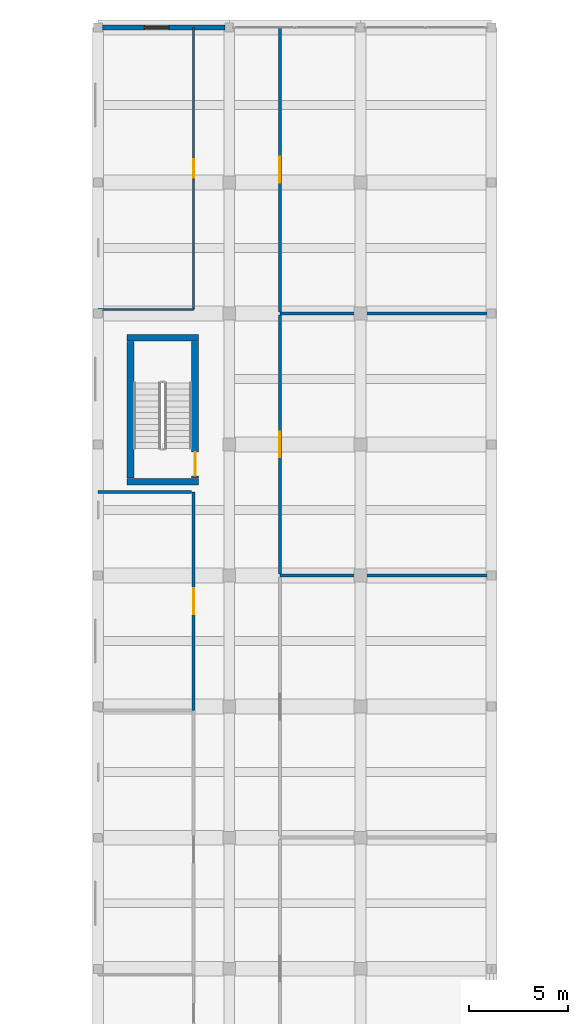
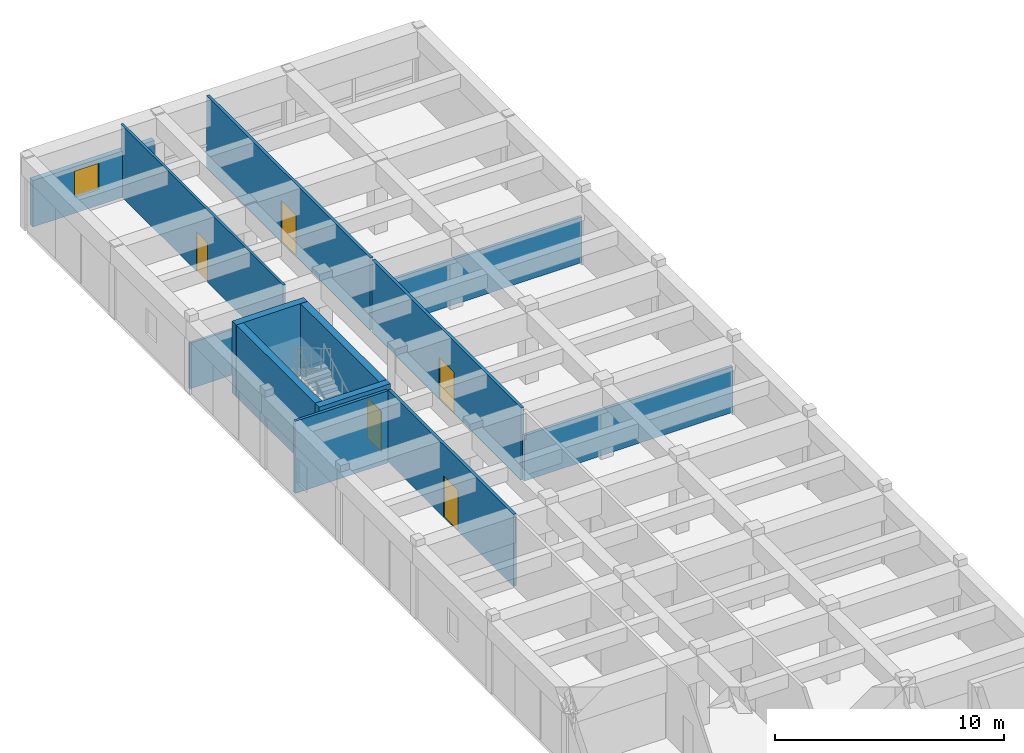
# One storey, part 145 of 157: 13 walls, 5 doors, 1 window, 6 openings.
"""IFC4 building model written with IfcOpenShell, lengths in metres."""

from ifc_helpers import new_model, si_unit, direction, frame, frame_2d, origin, place, context, subcontext, project, spatial, rectangle, extrude, material, layer, layer_set, type_object, element, fill, save


model = new_model("IFC4")

# Units and contexts
model_context = context("Model", 3, precision=1e-05, world=origin(), true_north=direction((0.0, 1.0)))
body_context = subcontext(model_context, "Body", "Model", "MODEL_VIEW")
ifc_project = project(units=[si_unit("LENGTHUNIT", "METRE"), si_unit("AREAUNIT", "SQUARE_METRE"), si_unit("VOLUMEUNIT", "CUBIC_METRE"), si_unit("PLANEANGLEUNIT", "RADIAN"), si_unit("MASSUNIT", "GRAM", prefix="KILO")], contexts=[model_context])

# Site, building, storey
site_placement = place(None, origin())
site = spatial("IfcSite", under=ifc_project, at=site_placement, CompositionType="ELEMENT")
building_placement = place(site_placement, origin())
building = spatial("IfcBuilding", under=site, at=building_placement, Name="Karori Crest Natural Sciences Institute", CompositionType="ELEMENT")
storey_placement = place(building_placement, frame((0.0, 0.0, 13.300048828125)))
storey = spatial("IfcBuildingStorey", under=building, at=storey_placement, Name="L03", CompositionType="ELEMENT", Elevation=13.300048828125)

# Walls
ifc_material_1 = material(Name="Concrete 50 MPa", Category="concrete")
ifc_layer_1 = layer(ifc_material_1, 0.35009765625, Name="Concrete 50 MPa")
ifc_layer_set_1 = layer_set([ifc_layer_1], Name="Concrete 50 MPa")
wall_type_1 = type_object("IfcWallType", Name="IWT-02", PredefinedType="SHEAR", material=ifc_layer_set_1)
for number, where, z_axis, x_axis, name in (
    (1, (8.85009765625, 139.324951171875, 0.0), (0.0, 0.0, 1.0), (1.0, 0.0, 0.0), "Shear wall IW-0213"),
    (2, (8.85009765625, 146.574951171875, 0.0), (0.0, 0.0, 1.0), (1.0, 0.0, 0.0), "Shear wall IW-0214"),
):
    element("IfcWall", number, at=place(storey_placement, frame(where, z_axis=z_axis, x_axis=x_axis)), inside=storey, type_object=wall_type_1, Name=name, PredefinedType="SHEAR", context=body_context, shape_type="SweptSolid", body=[
        extrude(rectangle(XDim=3.599853515625, YDim=0.35009765625, at=frame_2d((1.7998046875, 0.0))), origin(), (0.0, 0.0, 1.0), 3.849853515625),
    ])
wall_1_placement = place(storey_placement, frame((9.02490234375, 139.501953125, 0.0), z_axis=(0.0, 0.0, 1.0), x_axis=(0.0, 1.0, 0.0)))
element("IfcWall", 3, at=wall_1_placement, inside=storey, type_object=wall_type_1, Name="Shear wall IW-0215", PredefinedType="SHEAR", context=body_context, shape_type="SweptSolid", body=[
    extrude(rectangle(XDim=6.89599609375, YDim=0.35009765625, at=frame_2d((3.447998046875, 0.0))), origin(), (0.0, 0.0, 1.0), 3.849853515625),
])

# Wall, opening, door
wall_2_placement = place(storey_placement, frame((12.27490234375, 139.501953125, 0.0), z_axis=(0.0, 0.0, 1.0), x_axis=(0.0, 1.0, 0.0)))
wall_2 = element("IfcWall", 4, at=wall_2_placement, inside=storey, type_object=wall_type_1, Name="Shear wall IW-0216", PredefinedType="SHEAR", context=body_context, shape_type="SweptSolid", body=[
    extrude(rectangle(XDim=6.89599609375, YDim=0.35009765625, at=frame_2d((3.447998046875, 0.0))), origin(), (0.0, 0.0, 1.0), 3.849853515625),
])
opening_1_placement = place(wall_2_placement, frame((0.1201171875, 0.0, 0.0)))
opening_1 = element("IfcOpeningElement", 5, at=opening_1_placement, cuts=wall_2, Name="Opening ID-0054", PredefinedType="OPENING", context=body_context, shape_type="SweptSolid", body=[
    extrude(rectangle(XDim=1.199951171875, YDim=2.14990234375, at=frame_2d((0.60009765625, 1.074951171875))), frame((0.0, 0.18505859375, 0.0), z_axis=(0.0, -1.0, 0.0), x_axis=(1.0, 0.0, 0.0)), (0.0, 0.0, 1.0), 0.3701171875),
])
ifc_material_2 = material(Name="Stainless steel 316 and fire-rated timber", Category="steel")
door_type_1 = type_object("IfcDoorType", Name="IDT-01", OperationType="NOTDEFINED", PredefinedType="DOOR", material=ifc_material_2)
door_1_placement = place(opening_1_placement, origin())
door_1 = element("IfcDoor", 6, at=door_1_placement, inside=storey, type_object=door_type_1, Name="Stair ST-06 fire door ID-0054", OperationType="SINGLE_SWING_RIGHT", OverallHeight=2.14990234375, OverallWidth=1.199951171875, PredefinedType="DOOR", context=body_context, shape_type="SweptSolid", body=[
    extrude(rectangle(XDim=1.199951171875, YDim=2.14990234375, at=frame_2d((0.60009765625, 1.074951171875))), frame((0.0, 0.02490234375, 0.0), z_axis=(0.0, -1.0, 0.0), x_axis=(1.0, 0.0, 0.0)), (0.0, 0.0, 1.0), 0.050048828125),
])
fill(opening_1, door_1)

# Wall
ifc_material_3 = material(Name="Clean-room insulated fire partition")
ifc_layer_2 = layer(ifc_material_3, 0.14990234375, Name="Clean-room insulated fire partition")
ifc_layer_set_2 = layer_set([ifc_layer_2], Name="Clean-room insulated fire partition")
wall_type_2 = type_object("IfcWallType", Name="IWT-06", PredefinedType="PARTITIONING", material=ifc_layer_set_2)
wall_3_placement = place(storey_placement, frame((7.39990234375, 138.800048828125, 0.0), z_axis=(0.0, 0.0, 1.0), x_axis=(1.0, 0.0, 0.0)))
element("IfcWall", 7, at=wall_3_placement, inside=storey, type_object=wall_type_2, Name="Partition wall IW-0987", PredefinedType="PARTITIONING", context=body_context, shape_type="SweptSolid", body=[
    extrude(rectangle(XDim=4.697998046875, YDim=0.14990234375, at=frame_2d((2.34912109375, 0.0))), origin(), (0.0, 0.0, 1.0), 3.849853515625),
])

# Wall, opening, door
wall_4_placement = place(storey_placement, frame((12.199951171875, 127.802001953125, 0.0), z_axis=(0.0, 0.0, 1.0), x_axis=(0.0, 1.0, 0.0)))
wall_4 = element("IfcWall", 8, at=wall_4_placement, inside=storey, type_object=wall_type_2, Name="Partition wall IW-0988", PredefinedType="PARTITIONING", context=body_context, shape_type="SweptSolid", body=[
    extrude(rectangle(XDim=10.998046875, YDim=0.14990234375, at=frame_2d((5.4990234375, 0.0))), origin(), (0.0, 0.0, 1.0), 3.849853515625),
])
opening_2_placement = place(wall_4_placement, frame((4.84912109375, 0.0, 0.0)))
opening_2 = element("IfcOpeningElement", 9, at=opening_2_placement, cuts=wall_4, Name="Opening ID-0265", PredefinedType="OPENING", context=body_context, shape_type="SweptSolid", body=[
    extrude(rectangle(XDim=1.300048828125, YDim=2.199951171875, at=frame_2d((0.64990234375, 1.10009765625))), frame((0.0, 0.0849609375, 0.0), z_axis=(0.0, -1.0, 0.0), x_axis=(1.0, 0.0, 0.0)), (0.0, 0.0, 1.0), 0.169921875),
])
door_type_2 = type_object("IfcDoorType", Name="IDT-04", OperationType="NOTDEFINED", PredefinedType="DOOR", material=ifc_material_2)
door_2_placement = place(opening_2_placement, origin())
door_2 = element("IfcDoor", 10, at=door_2_placement, inside=storey, type_object=door_type_2, Name="Optical Metrology Preparation Room door ID-0265", OperationType="SINGLE_SWING_LEFT", OverallHeight=2.199951171875, OverallWidth=1.300048828125, PredefinedType="DOOR", context=body_context, shape_type="SweptSolid", body=[
    extrude(rectangle(XDim=1.300048828125, YDim=2.199951171875, at=frame_2d((0.64990234375, 1.10009765625))), frame((0.0, 0.02490234375, 0.0), z_axis=(0.0, -1.0, 0.0), x_axis=(1.0, 0.0, 0.0)), (0.0, 0.0, 1.0), 0.050048828125),
])
fill(opening_2, door_2)

# Walls
for number, where, z_axis, x_axis, name in (
    (11, (16.550048828125, 134.60009765625, 0.0), (0.0, 0.0, 1.0), (1.0, 0.0, 0.0), "Partition wall IW-0997"),
    (12, (16.550048828125, 147.800048828125, 0.0), (0.0, 0.0, 1.0), (1.0, 0.0, 0.0), "Partition wall IW-0999"),
):
    element("IfcWall", number, at=place(storey_placement, frame(where, z_axis=z_axis, x_axis=x_axis)), inside=storey, type_object=wall_type_2, Name=name, PredefinedType="PARTITIONING", context=body_context, shape_type="SweptSolid", body=[
        extrude(rectangle(XDim=10.537841796875, YDim=0.14990234375, at=frame_2d((5.26904296875, 0.0))), origin(), (0.0, 0.0, 1.0), 2.43505859375),
    ])

# Wall, opening, door
wall_5_placement = place(storey_placement, frame((16.550048828125, 134.677001953125, 0.0), z_axis=(0.0, 0.0, 1.0), x_axis=(0.0, 1.0, 0.0)))
wall_5 = element("IfcWall", 13, at=wall_5_placement, inside=storey, type_object=wall_type_2, Name="Partition wall IW-1000", PredefinedType="PARTITIONING", context=body_context, shape_type="SweptSolid", body=[
    extrude(rectangle(XDim=13.0458984375, YDim=0.14990234375, at=frame_2d((6.52294921875, 0.0))), origin(), (0.0, 0.0, 1.0), 3.849853515625),
])
opening_3_placement = place(wall_5_placement, frame((5.873046875, 0.0, 0.0)))
opening_3 = element("IfcOpeningElement", 14, at=opening_3_placement, cuts=wall_5, Name="Opening ID-0270", PredefinedType="OPENING", context=body_context, shape_type="SweptSolid", body=[
    extrude(rectangle(XDim=1.300048828125, YDim=2.199951171875, at=frame_2d((0.64990234375, 1.10009765625))), frame((0.0, 0.0849609375, 0.0), z_axis=(0.0, -1.0, 0.0), x_axis=(1.0, 0.0, 0.0)), (0.0, 0.0, 1.0), 0.169921875),
])
door_3_placement = place(opening_3_placement, origin())
door_3 = element("IfcDoor", 15, at=door_3_placement, inside=storey, type_object=door_type_2, Name="Laser Interferometry Metrology Suite door ID-0270", OperationType="SINGLE_SWING_RIGHT", OverallHeight=2.199951171875, OverallWidth=1.300048828125, PredefinedType="DOOR", context=body_context, shape_type="SweptSolid", body=[
    extrude(rectangle(XDim=1.300048828125, YDim=2.199951171875, at=frame_2d((0.64990234375, 1.10009765625))), frame((0.0, 0.02490234375, 0.0), z_axis=(0.0, -1.0, 0.0), x_axis=(1.0, 0.0, 0.0)), (0.0, 0.0, 1.0), 0.050048828125),
])
fill(opening_3, door_3)

wall_6_placement = place(storey_placement, frame((16.550048828125, 147.876953125, 0.0), z_axis=(0.0, 0.0, 1.0), x_axis=(0.0, 1.0, 0.0)))
wall_6 = element("IfcWall", 16, at=wall_6_placement, inside=storey, type_object=wall_type_2, Name="Partition wall IW-1001", PredefinedType="PARTITIONING", context=body_context, shape_type="SweptSolid", body=[
    extrude(rectangle(XDim=14.322998046875, YDim=0.14990234375, at=frame_2d((7.16162109375, 0.0))), origin(), (0.0, 0.0, 1.0), 3.849853515625),
])
opening_4_placement = place(wall_6_placement, frame((6.511474609375, 0.0, 0.0)))
opening_4 = element("IfcOpeningElement", 17, at=opening_4_placement, cuts=wall_6, Name="Opening ID-0271", PredefinedType="OPENING", context=body_context, shape_type="SweptSolid", body=[
    extrude(rectangle(XDim=1.300048828125, YDim=2.199951171875, at=frame_2d((0.64990234375, 1.10009765625))), frame((0.0, 0.0849609375, 0.0), z_axis=(0.0, -1.0, 0.0), x_axis=(1.0, 0.0, 0.0)), (0.0, 0.0, 1.0), 0.169921875),
])
door_4_placement = place(opening_4_placement, origin())
door_4 = element("IfcDoor", 18, at=door_4_placement, inside=storey, type_object=door_type_2, Name="Electron Microscopy Clean Room door ID-0271", OperationType="SINGLE_SWING_LEFT", OverallHeight=2.199951171875, OverallWidth=1.300048828125, PredefinedType="DOOR", context=body_context, shape_type="SweptSolid", body=[
    extrude(rectangle(XDim=1.300048828125, YDim=2.199951171875, at=frame_2d((0.64990234375, 1.10009765625))), frame((0.0, 0.02490234375, 0.0), z_axis=(0.0, -1.0, 0.0), x_axis=(1.0, 0.0, 0.0)), (0.0, 0.0, 1.0), 0.050048828125),
])
fill(opening_4, door_4)

# Wall
ifc_material_4 = material(Name="Write-up office acoustic partition")
ifc_layer_3 = layer(ifc_material_4, 0.1201171875, Name="Write-up office acoustic partition")
ifc_layer_set_3 = layer_set([ifc_layer_3], Name="Write-up office acoustic partition")
wall_type_3 = type_object("IfcWallType", Name="IWT-08", PredefinedType="PARTITIONING", material=ifc_layer_set_3)
wall_7_placement = place(storey_placement, frame((7.39990234375, 148.0, 0.0), z_axis=(0.0, 0.0, 1.0), x_axis=(1.0, 0.0, 0.0)))
element("IfcWall", 19, at=wall_7_placement, inside=storey, type_object=wall_type_3, Name="Partition wall IW-0989", PredefinedType="PARTITIONING", context=body_context, shape_type="SweptSolid", body=[
    extrude(rectangle(XDim=4.800048828125, YDim=0.1201171875, at=frame_2d((2.39990234375, 0.0))), origin(), (0.0, 0.0, 1.0), 2.43505859375),
])

# Wall, opening, door
wall_8_placement = place(storey_placement, frame((12.199951171875, 148.0, 0.0), z_axis=(0.0, 0.0, 1.0), x_axis=(0.0, 1.0, 0.0)))
wall_8 = element("IfcWall", 20, at=wall_8_placement, inside=storey, type_object=wall_type_3, Name="Partition wall IW-0990", PredefinedType="PARTITIONING", context=body_context, shape_type="SweptSolid", body=[
    extrude(rectangle(XDim=14.199951171875, YDim=0.1201171875, at=frame_2d((7.10009765625, 0.0))), origin(), (0.0, 0.0, 1.0), 3.849853515625),
])
opening_5_placement = place(wall_8_placement, frame((6.625, 0.0, 0.0)))
opening_5 = element("IfcOpeningElement", 21, at=opening_5_placement, cuts=wall_8, Name="Opening ID-0266", PredefinedType="OPENING", context=body_context, shape_type="SweptSolid", body=[
    extrude(rectangle(XDim=0.949951171875, YDim=2.10009765625, at=frame_2d((0.47509765625, 1.050048828125))), frame((0.0, 0.070068359375, 0.0), z_axis=(0.0, -1.0, 0.0), x_axis=(1.0, 0.0, 0.0)), (0.0, 0.0, 1.0), 0.14013671875),
])
ifc_material_5 = material(Name="Anodised aluminium and acoustic timber", Category="wood")
door_type_3 = type_object("IfcDoorType", Name="IDT-08", OperationType="NOTDEFINED", PredefinedType="DOOR", material=ifc_material_5)
door_5_placement = place(opening_5_placement, origin())
door_5 = element("IfcDoor", 22, at=door_5_placement, inside=storey, type_object=door_type_3, Name="Specimen Assay Room door ID-0266", OperationType="SINGLE_SWING_RIGHT", OverallHeight=2.10009765625, OverallWidth=0.949951171875, PredefinedType="DOOR", context=body_context, shape_type="SweptSolid", body=[
    extrude(rectangle(XDim=0.949951171875, YDim=2.10009765625, at=frame_2d((0.47509765625, 1.050048828125))), frame((0.0, 0.02490234375, 0.0), z_axis=(0.0, -1.0, 0.0), x_axis=(1.0, 0.0, 0.0)), (0.0, 0.0, 1.0), 0.050048828125),
])
fill(opening_5, door_5)

# Wall, opening, window
ifc_material_6 = material(Name="Precast concrete 40 MPa", Category="concrete")
ifc_layer_4 = layer(ifc_material_6, 0.260009765625, Name="Precast concrete 40 MPa")
ifc_layer_set_4 = layer_set([ifc_layer_4], Name="Precast concrete 40 MPa")
wall_type_4 = type_object("IfcWallType", Name="WT-03", PredefinedType="SOLIDWALL", material=ifc_layer_set_4)
wall_9_placement = place(storey_placement, frame((7.623046875, 162.199951171875, 0.0), z_axis=(0.0, 0.0, 1.0), x_axis=(1.0, 0.0, 0.0)))
wall_9 = element("IfcWall", 23, at=wall_9_placement, inside=storey, type_object=wall_type_4, Name="Exterior wall EW-0171", PredefinedType="SOLIDWALL", context=body_context, shape_type="SweptSolid", body=[
    extrude(rectangle(XDim=6.154052734375, YDim=0.260009765625, at=frame_2d((3.0771484375, 0.0))), origin(), (0.0, 0.0, 1.0), 2.47998046875),
])
opening_6_placement = place(wall_9_placement, frame((2.10009765625, 0.0, 0.85009765625)))
opening_6 = element("IfcOpeningElement", 24, at=opening_6_placement, cuts=wall_9, Name="Opening WN-0114", PredefinedType="OPENING", context=body_context, shape_type="SweptSolid", body=[
    extrude(rectangle(XDim=1.25, YDim=1.39990234375, at=frame_2d((0.625, 0.699951171875))), frame((0.0, 0.14013671875, 0.0), z_axis=(0.0, -1.0, 0.0), x_axis=(1.0, 0.0, 0.0)), (0.0, 0.0, 1.0), 0.280029296875),
])
ifc_material_7 = material(Name="Double low-E laminated glass", Category="glass")
window_type = type_object("IfcWindowType", Name="WNT-02", PartitioningType="SINGLE_PANEL", PredefinedType="WINDOW", material=ifc_material_7)
window_placement = place(opening_6_placement, origin())
window = element("IfcWindow", 25, at=window_placement, inside=storey, type_object=window_type, Name="Window WN-0114", OverallHeight=1.39990234375, OverallWidth=1.25, PartitioningType="SINGLE_PANEL", PredefinedType="WINDOW", context=body_context, shape_type="SweptSolid", body=[
    extrude(rectangle(XDim=1.25, YDim=1.39990234375, at=frame_2d((0.625, 0.699951171875))), frame((0.0, 0.030029296875, 0.0), z_axis=(0.0, -1.0, 0.0), x_axis=(1.0, 0.0, 0.0)), (0.0, 0.0, 1.0), 0.06005859375),
])
fill(opening_6, window)

save(model, "model.ifc")
